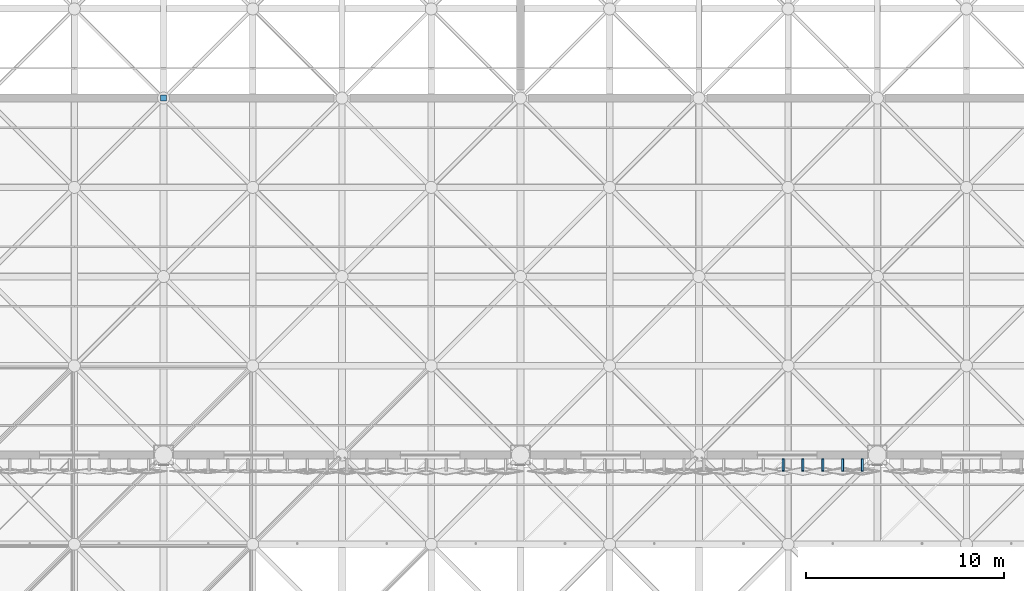
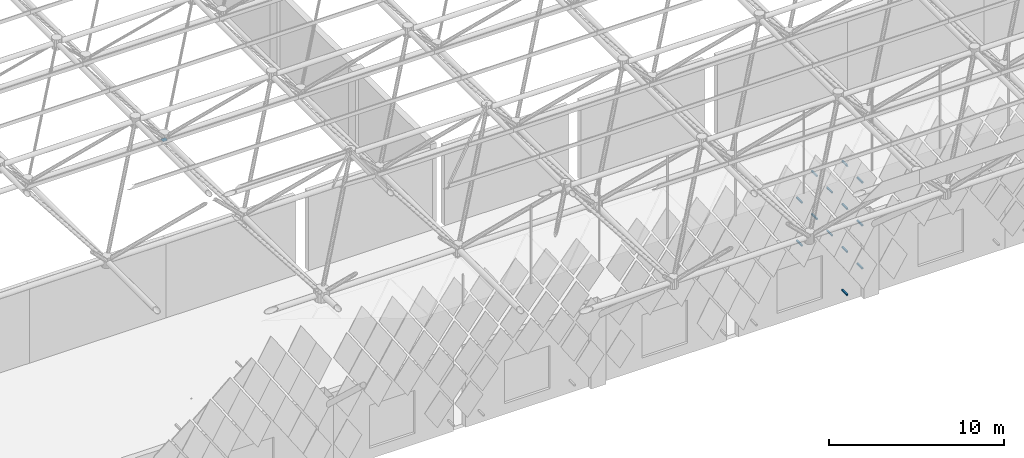
# One storey, part 366 of 437: 14 discrete accessories.
"""IFC4 building model written with IfcOpenShell, lengths in metres."""

from ifc_helpers import new_model, si_unit, direction, frame, origin, origin_2d, place, context, subcontext, project, spatial, polyline, rectangle, outline, extrude, material, layer, layer_set, type_object, element, save


model = new_model("IFC4")

# Units and contexts
model_context = context("Model", 3, precision=1e-05, world=origin(), true_north=direction((0.0, 1.0)))
body_context = subcontext(model_context, "Body", "Model", "MODEL_VIEW")
ifc_project = project(units=[si_unit("LENGTHUNIT", "METRE"), si_unit("AREAUNIT", "SQUARE_METRE"), si_unit("VOLUMEUNIT", "CUBIC_METRE"), si_unit("PLANEANGLEUNIT", "RADIAN"), si_unit("MASSUNIT", "GRAM", prefix="KILO")], contexts=[model_context])

# Site, building, storey
site_placement = place(None, origin())
site = spatial("IfcSite", under=ifc_project, at=site_placement, CompositionType="ELEMENT")
building_placement = place(site_placement, origin())
building = spatial("IfcBuilding", under=site, at=building_placement, Name="Opaline Strait Convention Centre", CompositionType="ELEMENT")
storey_placement = place(building_placement, frame((0.0, 0.0, 11.5)))
storey = spatial("IfcBuildingStorey", under=building, at=storey_placement, Name="L02", CompositionType="ELEMENT", Elevation=11.5)

# Discrete accessories
ifc_material = material(Name="Steel Q355B", Category="steel")
ifc_layer = layer(ifc_material, 0.02001953125)
ifc_layer_set = layer_set([ifc_layer], Name="Steel Q355B")
discrete_accessory_type_1 = type_object("IfcDiscreteAccessoryType", Name="Cast-in anchor plate 300 x 300 x 20", PredefinedType="ANCHORPLATE", material=ifc_layer_set)
discrete_accessory_1_placement = place(storey_placement, frame((135.0, 72.0, 12.305419921875), z_axis=(0.0, 0.0, 1.0), x_axis=(1.0, 0.0, 0.0)))
element("IfcDiscreteAccessory", 1, at=discrete_accessory_1_placement, inside=storey, type_object=discrete_accessory_type_1, Name="Cast-in anchor plate at the Hall south wall, web ends at 135", PredefinedType="ANCHORPLATE", context=body_context, shape_type="SweptSolid", body=[
    extrude(rectangle(XDim=0.300048828125, YDim=0.300048828125, at=origin_2d()), origin(), (0.0, 0.0, 1.0), 0.02001953125),
])
discrete_accessory_type_2 = type_object("IfcDiscreteAccessoryType", Name="Tile bracket 100x100 steel", PredefinedType="BRACKET", material=ifc_material)
for number, where, z_axis, x_axis, name in (
    (2, (169.199951171875, 53.800048828125, 0.89208984375), (1.0, 0.0, 0.0), (0.0, 1.0, 0.0), "Tile bracket XT06 S"),
    (3, (170.199951171875, 53.800048828125, 2.39208984375), (1.0, 0.0, 0.0), (0.0, 1.0, 0.0), "Tile bracket XT06 S"),
):
    element("IfcDiscreteAccessory", number, at=place(storey_placement, frame(where, z_axis=z_axis, x_axis=x_axis)), inside=storey, type_object=discrete_accessory_type_2, Name=name, PredefinedType="BRACKET", context=body_context, shape_type="SweptSolid", body=[
        extrude(outline(polyline([(0.0, -0.050048828125), (0.0, 0.050048828125), (-0.597412109375, 0.050048828125), (-0.6025390625, -0.050048828125), (0.0, -0.050048828125)])), origin(), (0.0, 0.0, 1.0), 0.10009765625),
    ])
discrete_accessory_2_placement = place(storey_placement, frame((169.199951171875, 53.800048828125, 3.89208984375), z_axis=(1.0, 0.0, 0.0), x_axis=(0.0, 1.0, 0.0)))
element("IfcDiscreteAccessory", 4, at=discrete_accessory_2_placement, inside=storey, type_object=discrete_accessory_type_2, Name="Tile bracket XT12 S", PredefinedType="BRACKET", context=body_context, shape_type="SweptSolid", body=[
    extrude(outline(polyline([(0.0, -0.050048828125), (0.0, 0.050048828125), (-0.5947265625, 0.050048828125), (-0.605224609375, -0.050048828125), (0.0, -0.050048828125)])), origin(), (0.0, 0.0, 1.0), 0.10009765625),
])
discrete_accessory_3_placement = place(storey_placement, frame((166.199951171875, 53.800048828125, 5.39208984375), z_axis=(1.0, 0.0, 0.0), x_axis=(0.0, 1.0, 0.0)))
element("IfcDiscreteAccessory", 5, at=discrete_accessory_3_placement, inside=storey, type_object=discrete_accessory_type_2, Name="Tile bracket XT17 S", PredefinedType="BRACKET", context=body_context, shape_type="SweptSolid", body=[
    extrude(outline(polyline([(0.0, -0.050048828125), (0.0, 0.050048828125), (-0.592529296875, 0.050048828125), (-0.607421875, -0.050048828125), (0.0, -0.050048828125)])), origin(), (0.0, 0.0, 1.0), 0.10009765625),
])
discrete_accessory_4_placement = place(storey_placement, frame((168.199951171875, 53.800048828125, 5.39208984375), z_axis=(1.0, 0.0, 0.0), x_axis=(0.0, 1.0, 0.0)))
element("IfcDiscreteAccessory", 6, at=discrete_accessory_4_placement, inside=storey, type_object=discrete_accessory_type_2, Name="Tile bracket XT15 S", PredefinedType="BRACKET", context=body_context, shape_type="SweptSolid", body=[
    extrude(outline(polyline([(0.0, -0.050048828125), (0.0, 0.050048828125), (-0.593505859375, 0.050048828125), (-0.606689453125, -0.050048828125), (0.0, -0.050048828125)])), origin(), (0.0, 0.0, 1.0), 0.10009765625),
])
discrete_accessory_5_placement = place(storey_placement, frame((170.199951171875, 53.800048828125, 5.39208984375), z_axis=(1.0, 0.0, 0.0), x_axis=(0.0, 1.0, 0.0)))
element("IfcDiscreteAccessory", 7, at=discrete_accessory_5_placement, inside=storey, type_object=discrete_accessory_type_2, Name="Tile bracket XT12 S", PredefinedType="BRACKET", context=body_context, shape_type="SweptSolid", body=[
    extrude(outline(polyline([(0.0, -0.050048828125), (0.0, 0.050048828125), (-0.5947265625, 0.050048828125), (-0.605224609375, -0.050048828125), (0.0, -0.050048828125)])), origin(), (0.0, 0.0, 1.0), 0.10009765625),
])
discrete_accessory_6_placement = place(storey_placement, frame((167.199951171875, 53.800048828125, 6.89208984375), z_axis=(1.0, 0.0, 0.0), x_axis=(0.0, 1.0, 0.0)))
element("IfcDiscreteAccessory", 8, at=discrete_accessory_6_placement, inside=storey, type_object=discrete_accessory_type_2, Name="Tile bracket XT17 S", PredefinedType="BRACKET", context=body_context, shape_type="SweptSolid", body=[
    extrude(outline(polyline([(0.0, -0.050048828125), (0.0, 0.050048828125), (-0.592529296875, 0.050048828125), (-0.607421875, -0.050048828125), (0.0, -0.050048828125)])), origin(), (0.0, 0.0, 1.0), 0.10009765625),
])
discrete_accessory_7_placement = place(storey_placement, frame((169.199951171875, 53.800048828125, 6.89208984375), z_axis=(1.0, 0.0, 0.0), x_axis=(0.0, 1.0, 0.0)))
element("IfcDiscreteAccessory", 9, at=discrete_accessory_7_placement, inside=storey, type_object=discrete_accessory_type_2, Name="Tile bracket XT15 S", PredefinedType="BRACKET", context=body_context, shape_type="SweptSolid", body=[
    extrude(outline(polyline([(0.0, -0.050048828125), (0.0, 0.050048828125), (-0.593505859375, 0.050048828125), (-0.606689453125, -0.050048828125), (0.0, -0.050048828125)])), origin(), (0.0, 0.0, 1.0), 0.10009765625),
])
discrete_accessory_8_placement = place(storey_placement, frame((166.199951171875, 53.800048828125, 8.39208984375), z_axis=(1.0, 0.0, 0.0), x_axis=(0.0, 1.0, 0.0)))
element("IfcDiscreteAccessory", 10, at=discrete_accessory_8_placement, inside=storey, type_object=discrete_accessory_type_2, Name="Tile bracket XT16 S", PredefinedType="BRACKET", context=body_context, shape_type="SweptSolid", body=[
    extrude(outline(polyline([(0.0, -0.050048828125), (0.0, 0.050048828125), (-0.593017578125, 0.050048828125), (-0.60693359375, -0.050048828125), (0.0, -0.050048828125)])), origin(), (0.0, 0.0, 1.0), 0.10009765625),
])
discrete_accessory_9_placement = place(storey_placement, frame((168.199951171875, 53.800048828125, 8.39208984375), z_axis=(1.0, 0.0, 0.0), x_axis=(0.0, 1.0, 0.0)))
element("IfcDiscreteAccessory", 11, at=discrete_accessory_9_placement, inside=storey, type_object=discrete_accessory_type_2, Name="Tile bracket XT17 S", PredefinedType="BRACKET", context=body_context, shape_type="SweptSolid", body=[
    extrude(outline(polyline([(0.0, -0.050048828125), (0.0, 0.050048828125), (-0.592529296875, 0.050048828125), (-0.607421875, -0.050048828125), (0.0, -0.050048828125)])), origin(), (0.0, 0.0, 1.0), 0.10009765625),
])
for number, where, z_axis, x_axis, name in (
    (12, (170.199951171875, 53.800048828125, 8.39208984375), (1.0, 0.0, 0.0), (0.0, 1.0, 0.0), "Tile bracket XT16 S"),
    (13, (167.199951171875, 53.800048828125, 9.89208984375), (1.0, 0.0, 0.0), (0.0, 1.0, 0.0), "Tile bracket XT16 S"),
):
    element("IfcDiscreteAccessory", number, at=place(storey_placement, frame(where, z_axis=z_axis, x_axis=x_axis)), inside=storey, type_object=discrete_accessory_type_2, Name=name, PredefinedType="BRACKET", context=body_context, shape_type="SweptSolid", body=[
        extrude(outline(polyline([(0.0, -0.050048828125), (0.0, 0.050048828125), (-0.593017578125, 0.050048828125), (-0.60693359375, -0.050048828125), (0.0, -0.050048828125)])), origin(), (0.0, 0.0, 1.0), 0.10009765625),
    ])
discrete_accessory_10_placement = place(storey_placement, frame((169.199951171875, 53.800048828125, 9.89208984375), z_axis=(1.0, 0.0, 0.0), x_axis=(0.0, 1.0, 0.0)))
element("IfcDiscreteAccessory", 14, at=discrete_accessory_10_placement, inside=storey, type_object=discrete_accessory_type_2, Name="Tile bracket XT17 S", PredefinedType="BRACKET", context=body_context, shape_type="SweptSolid", body=[
    extrude(outline(polyline([(0.0, -0.050048828125), (0.0, 0.050048828125), (-0.592529296875, 0.050048828125), (-0.607421875, -0.050048828125), (0.0, -0.050048828125)])), origin(), (0.0, 0.0, 1.0), 0.10009765625),
])

save(model, "model.ifc")
